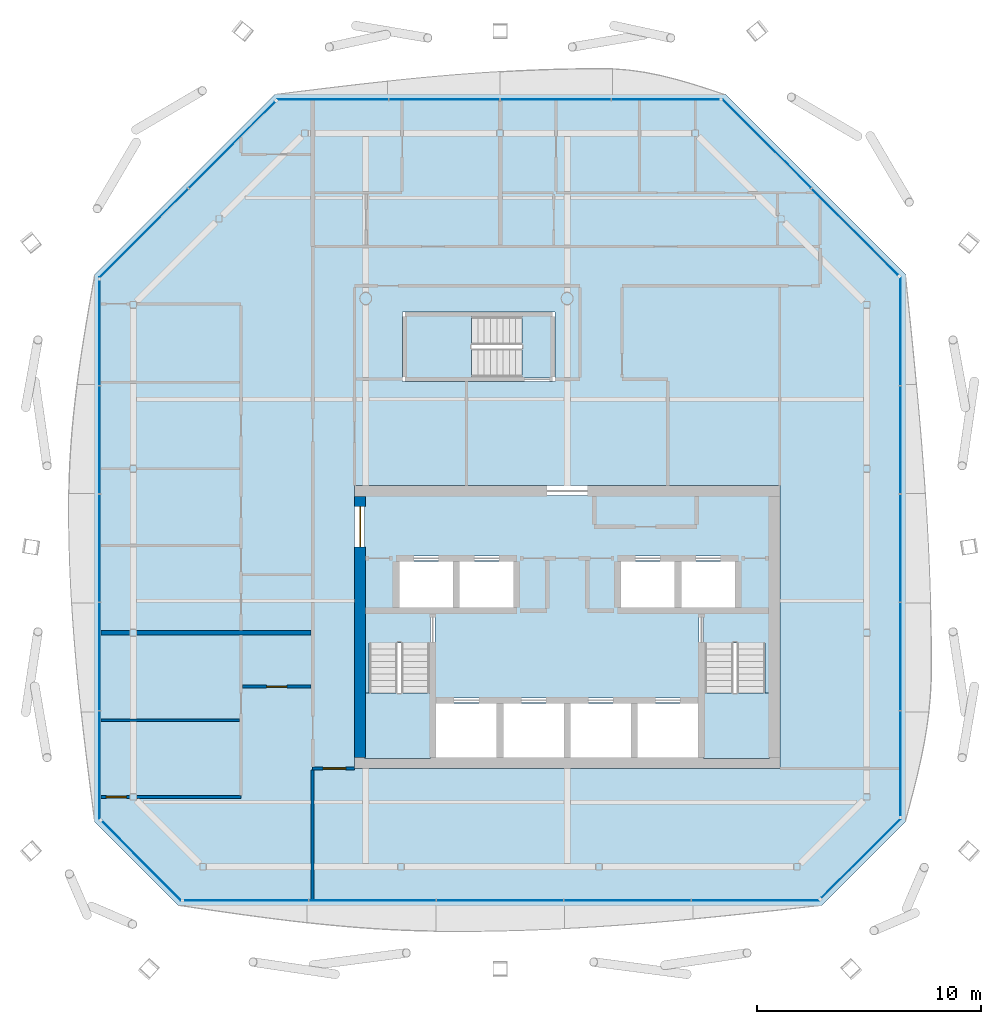
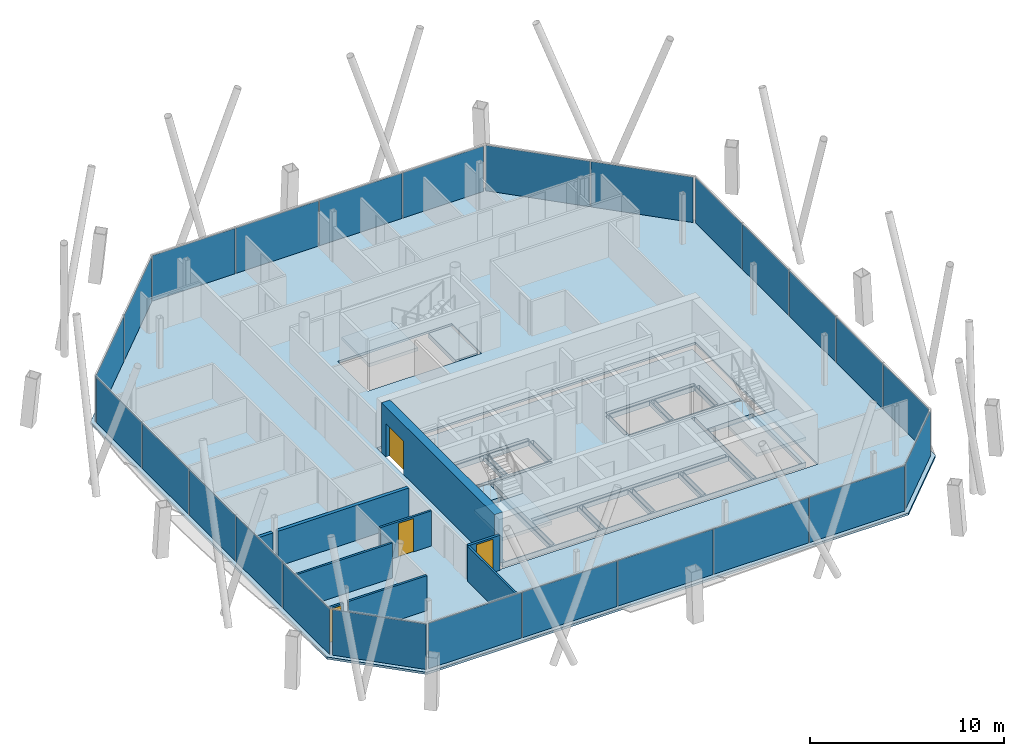
# One storey, part 11 of 17: 25 plates, 9 walls, 6 slabs, 4 doors, 4 openings, 11 elements without a shape of their own.
"""IFC4 building model written with IfcOpenShell, lengths in metres."""

from ifc_helpers import new_model, si_unit, direction, frame, frame_2d, origin, origin_2d, place, context, subcontext, project, spatial, polyline, rectangle, outline, extrude, material, layer, layer_set, type_object, element, fill, aggregate, save


model = new_model("IFC4")

# Units and contexts
model_context = context("Model", 3, precision=1e-05, world=origin(), true_north=direction((0.0, 1.0)))
body_context = subcontext(model_context, "Body", "Model", "MODEL_VIEW")
ifc_project = project(units=[si_unit("LENGTHUNIT", "METRE"), si_unit("AREAUNIT", "SQUARE_METRE"), si_unit("VOLUMEUNIT", "CUBIC_METRE"), si_unit("PLANEANGLEUNIT", "RADIAN"), si_unit("MASSUNIT", "GRAM", prefix="KILO")], contexts=[model_context])

# Site, building, storey
site_placement = place(None, origin())
site = spatial("IfcSite", under=ifc_project, at=site_placement, CompositionType="ELEMENT")
building_placement = place(site_placement, origin())
building = spatial("IfcBuilding", under=site, at=building_placement, Name="Tskaro Facet Tower", CompositionType="ELEMENT")
storey_placement = place(building_placement, frame((0.0, 0.0, 236.10009765625)))
storey = spatial("IfcBuildingStorey", under=building, at=storey_placement, Name="L61", CompositionType="ELEMENT", Elevation=236.10009765625)

# Slab
ifc_material_1 = material(Name="Concrete C30/37", Category="concrete")
ifc_layer_1 = layer(ifc_material_1, 0.139892578125, Name="Concrete C30/37")
ifc_layer_set_1 = layer_set([ifc_layer_1], Name="Concrete C30/37")
slab_type_1 = type_object("IfcSlabType", Name="Composite deck floor slab", PredefinedType="FLOOR", material=ifc_layer_set_1)
slab_1_placement = place(storey_placement, frame((0.0, 0.0, -0.14013671875)))
element("IfcSlab", 1, at=slab_1_placement, inside=storey, type_object=slab_type_1, Name="Floor slab FS3 L61", PredefinedType="FLOOR", context=body_context, shape_type="SweptSolid", body=[
    extrude(outline(polyline([(-17.35693359375, -18.138916015625), (11.35693359375, -18.138916015625), (15.138916015625, -14.35693359375), (15.138916015625, 10.052001953125), (7.052001953125, 18.138916015625), (-13.052001953125, 18.138916015625), (-21.138916015625, 10.052001953125), (-21.138916015625, -14.35693359375), (-17.35693359375, -18.138916015625)]), holes=[polyline([(-9.5, -12.0), (9.5, -12.0), (9.5, 0.64990234375), (-9.5, 0.64990234375), (-9.5, -12.0)]), polyline([(-7.35009765625, 5.300048828125), (-0.550048828125, 5.300048828125), (-0.550048828125, 8.39990234375), (-7.35009765625, 8.39990234375), (-7.35009765625, 5.300048828125)])]), origin(), (0.0, 0.0, 1.0), 0.14013671875),
])

# Curtain wall, plates
ifc_material_2 = material(Name="Bronze anodised aluminium 6063-T6", Category="aluminium")
curtain_wall_type = type_object("IfcCurtainWallType", Name="Bronze residence curtain wall (FW3)", PredefinedType="NOTDEFINED", material=ifc_material_2)
curtain_wall_1_placement = place(storey_placement, origin())
curtain_wall_1 = element("IfcCurtainWall", 2, at=curtain_wall_1_placement, inside=storey, type_object=curtain_wall_type, Name="FW3 south facet L61", PredefinedType="NOTDEFINED")
ifc_material_3 = material(Name="Bronze low-iron glass", Category="glass")
ifc_layer_2 = layer(ifc_material_3, 0.028076171875, Name="Bronze low-iron glass")
ifc_layer_set_2 = layer_set([ifc_layer_2], Name="Bronze low-iron glass")
plate_type = type_object("IfcPlateType", Name="FW3 bronze-tinted unit glazing 28", PredefinedType="CURTAIN_PANEL", material=ifc_layer_set_2)
plate_1_placement = place(storey_placement, frame((-14.344970703125, -17.888916015625, 0.0), z_axis=(0.0, 0.0, 1.0), x_axis=(1.0, 0.0, 0.0)))
plate_1 = element("IfcPlate", 3, at=plate_1_placement, type_object=plate_type, Name="FW3 south glazing 1.1", PredefinedType="CURTAIN_PANEL", context=body_context, shape_type="SweptSolid", body=[
    extrude(rectangle(XDim=5.5361328125, YDim=0.028076171875, at=origin_2d()), origin(), (0.0, 0.0, 1.0), 2.860107421875),
])
plate_2_placement = place(storey_placement, frame((-8.701171875, -17.888916015625, 0.0), z_axis=(0.0, 0.0, 1.0), x_axis=(1.0, 0.0, 0.0)))
plate_2 = element("IfcPlate", 4, at=plate_2_placement, type_object=plate_type, Name="FW3 south glazing 2.1", PredefinedType="CURTAIN_PANEL", context=body_context, shape_type="SweptSolid", body=[
    extrude(rectangle(XDim=5.651123046875, YDim=0.028076171875, at=origin_2d()), origin(), (0.0, 0.0, 1.0), 2.860107421875),
])
plate_3_placement = place(storey_placement, frame((-3.0, -17.888916015625, 0.0), z_axis=(0.0, 0.0, 1.0), x_axis=(1.0, 0.0, 0.0)))
plate_3 = element("IfcPlate", 5, at=plate_3_placement, type_object=plate_type, Name="FW3 south glazing 3.1", PredefinedType="CURTAIN_PANEL", context=body_context, shape_type="SweptSolid", body=[
    extrude(rectangle(XDim=5.651123046875, YDim=0.028076171875, at=origin_2d()), origin(), (0.0, 0.0, 1.0), 2.860107421875),
])
plate_4_placement = place(storey_placement, frame((2.701171875, -17.888916015625, 0.0), z_axis=(0.0, 0.0, 1.0), x_axis=(1.0, 0.0, 0.0)))
plate_4 = element("IfcPlate", 6, at=plate_4_placement, type_object=plate_type, Name="FW3 south glazing 4.1", PredefinedType="CURTAIN_PANEL", context=body_context, shape_type="SweptSolid", body=[
    extrude(rectangle(XDim=5.651123046875, YDim=0.028076171875, at=origin_2d()), origin(), (0.0, 0.0, 1.0), 2.860107421875),
])
plate_5_placement = place(storey_placement, frame((8.414794921875, -17.888916015625, 0.0), z_axis=(0.0, 0.0, 1.0), x_axis=(1.0, 0.0, 0.0)))
plate_5 = element("IfcPlate", 7, at=plate_5_placement, type_object=plate_type, Name="FW3 south glazing 5.1", PredefinedType="CURTAIN_PANEL", context=body_context, shape_type="SweptSolid", body=[
    extrude(rectangle(XDim=5.67626953125, YDim=0.028076171875, at=origin_2d()), origin(), (0.0, 0.0, 1.0), 2.860107421875),
])
aggregate(curtain_wall_1, [plate_1, plate_2, plate_3, plate_4, plate_5])

# Curtain wall, plate
curtain_wall_2_placement = place(storey_placement, origin())
curtain_wall_2 = element("IfcCurtainWall", 8, at=curtain_wall_2_placement, inside=storey, type_object=curtain_wall_type, Name="FW3 south-east facet L61", PredefinedType="NOTDEFINED")
plate_6_placement = place(storey_placement, frame((13.12060546875, -16.021484375, 0.0), z_axis=(0.0, 0.0, 1.0), x_axis=(0.707106781187, 0.707106781187, 0.0)))
plate_6 = element("IfcPlate", 9, at=plate_6_placement, type_object=plate_type, Name="FW3 south-east glazing 1.1", PredefinedType="CURTAIN_PANEL", context=body_context, shape_type="SweptSolid", body=[
    extrude(rectangle(XDim=5.002197265625, YDim=0.028076171875, at=origin_2d()), origin(), (0.0, 0.0, 1.0), 2.860107421875),
])
aggregate(curtain_wall_2, [plate_6])

# Curtain wall, plates
curtain_wall_3_placement = place(storey_placement, origin())
curtain_wall_3 = element("IfcCurtainWall", 10, at=curtain_wall_3_placement, inside=storey, type_object=curtain_wall_type, Name="FW3 east facet L61", PredefinedType="NOTDEFINED")
plate_7_placement = place(storey_placement, frame((14.888916015625, -11.775390625, 0.0), z_axis=(0.0, 0.0, 1.0), x_axis=(0.0, 1.0, 0.0)))
plate_7 = element("IfcPlate", 11, at=plate_7_placement, type_object=plate_type, Name="FW3 east glazing 1.1", PredefinedType="CURTAIN_PANEL", context=body_context, shape_type="SweptSolid", body=[
    extrude(rectangle(XDim=4.67529296875, YDim=0.028076171875, at=origin_2d()), origin(), (0.0, 0.0, 1.0), 2.860107421875),
])
plate_8_placement = place(storey_placement, frame((14.888916015625, -6.99267578125, 0.0), z_axis=(0.0, 0.0, 1.0), x_axis=(0.0, 1.0, 0.0)))
plate_8 = element("IfcPlate", 12, at=plate_8_placement, type_object=plate_type, Name="FW3 east glazing 2.1", PredefinedType="CURTAIN_PANEL", context=body_context, shape_type="SweptSolid", body=[
    extrude(rectangle(XDim=4.790283203125, YDim=0.028076171875, at=origin_2d()), origin(), (0.0, 0.0, 1.0), 2.860107421875),
])
plate_9_placement = place(storey_placement, frame((14.888916015625, -2.152587890625, 0.0), z_axis=(0.0, 0.0, 1.0), x_axis=(0.0, 1.0, 0.0)))
plate_9 = element("IfcPlate", 13, at=plate_9_placement, type_object=plate_type, Name="FW3 east glazing 3.1", PredefinedType="CURTAIN_PANEL", context=body_context, shape_type="SweptSolid", body=[
    extrude(rectangle(XDim=4.790283203125, YDim=0.028076171875, at=origin_2d()), origin(), (0.0, 0.0, 1.0), 2.860107421875),
])
plate_10_placement = place(storey_placement, frame((14.888916015625, 2.687744140625, 0.0), z_axis=(0.0, 0.0, 1.0), x_axis=(0.0, 1.0, 0.0)))
plate_10 = element("IfcPlate", 14, at=plate_10_placement, type_object=plate_type, Name="FW3 east glazing 4.1", PredefinedType="CURTAIN_PANEL", context=body_context, shape_type="SweptSolid", body=[
    extrude(rectangle(XDim=4.790283203125, YDim=0.028076171875, at=origin_2d()), origin(), (0.0, 0.0, 1.0), 2.860107421875),
])
plate_11_placement = place(storey_placement, frame((14.888916015625, 7.540283203125, 0.0), z_axis=(0.0, 0.0, 1.0), x_axis=(0.0, 1.0, 0.0)))
plate_11 = element("IfcPlate", 15, at=plate_11_placement, type_object=plate_type, Name="FW3 east glazing 5.1", PredefinedType="CURTAIN_PANEL", context=body_context, shape_type="SweptSolid", body=[
    extrude(rectangle(XDim=4.815185546875, YDim=0.028076171875, at=origin_2d()), origin(), (0.0, 0.0, 1.0), 2.860107421875),
])
aggregate(curtain_wall_3, [plate_7, plate_8, plate_9, plate_10, plate_11])

curtain_wall_4_placement = place(storey_placement, origin())
curtain_wall_4 = element("IfcCurtainWall", 16, at=curtain_wall_4_placement, inside=storey, type_object=curtain_wall_type, Name="FW3 north-east facet L61", PredefinedType="NOTDEFINED")
plate_12_placement = place(storey_placement, frame((12.863037109375, 11.973876953125, 0.0), z_axis=(0.0, 0.0, 1.0), x_axis=(-0.707106781187, 0.707106781187, 0.0)))
plate_12 = element("IfcPlate", 17, at=plate_12_placement, type_object=plate_type, Name="FW3 north-east glazing 1.1", PredefinedType="CURTAIN_PANEL", context=body_context, shape_type="SweptSolid", body=[
    extrude(rectangle(XDim=5.4501953125, YDim=0.028076171875, at=origin_2d()), origin(), (0.0, 0.0, 1.0), 2.860107421875),
])
plate_13_placement = place(storey_placement, frame((8.92431640625, 15.91259765625, 0.0), z_axis=(0.0, 0.0, 1.0), x_axis=(-0.707106781187, 0.707106781187, 0.0)))
plate_13 = element("IfcPlate", 18, at=plate_13_placement, type_object=plate_type, Name="FW3 north-east glazing 2.1", PredefinedType="CURTAIN_PANEL", context=body_context, shape_type="SweptSolid", body=[
    extrude(rectangle(XDim=5.590087890625, YDim=0.028076171875, at=origin_2d()), origin(), (0.0, 0.0, 1.0), 2.860107421875),
])
aggregate(curtain_wall_4, [plate_12, plate_13])

curtain_wall_5_placement = place(storey_placement, origin())
curtain_wall_5 = element("IfcCurtainWall", 19, at=curtain_wall_5_placement, inside=storey, type_object=curtain_wall_type, Name="FW3 north facet L61", PredefinedType="NOTDEFINED")
plate_14_placement = place(storey_placement, frame((4.403564453125, 17.888916015625, 0.0), z_axis=(0.0, 0.0, 1.0), x_axis=(-1.0, 0.0, 0.0)))
plate_14 = element("IfcPlate", 20, at=plate_14_placement, type_object=plate_type, Name="FW3 north glazing 1.1", PredefinedType="CURTAIN_PANEL", context=body_context, shape_type="SweptSolid", body=[
    extrude(rectangle(XDim=4.80908203125, YDim=0.028076171875, at=origin_2d()), origin(), (0.0, 0.0, 1.0), 2.860107421875),
])
plate_15_placement = place(storey_placement, frame((-0.512939453125, 17.888916015625, 0.0), z_axis=(0.0, 0.0, 1.0), x_axis=(-1.0, 0.0, 0.0)))
plate_15 = element("IfcPlate", 21, at=plate_15_placement, type_object=plate_type, Name="FW3 north glazing 2.1", PredefinedType="CURTAIN_PANEL", context=body_context, shape_type="SweptSolid", body=[
    extrude(rectangle(XDim=4.924072265625, YDim=0.028076171875, at=origin_2d()), origin(), (0.0, 0.0, 1.0), 2.860107421875),
])
plate_16_placement = place(storey_placement, frame((-5.487060546875, 17.888916015625, 0.0), z_axis=(0.0, 0.0, 1.0), x_axis=(-1.0, 0.0, 0.0)))
plate_16 = element("IfcPlate", 22, at=plate_16_placement, type_object=plate_type, Name="FW3 north glazing 3.1", PredefinedType="CURTAIN_PANEL", context=body_context, shape_type="SweptSolid", body=[
    extrude(rectangle(XDim=4.924072265625, YDim=0.028076171875, at=origin_2d()), origin(), (0.0, 0.0, 1.0), 2.860107421875),
])
plate_17_placement = place(storey_placement, frame((-10.473388671875, 17.888916015625, 0.0), z_axis=(0.0, 0.0, 1.0), x_axis=(-1.0, 0.0, 0.0)))
plate_17 = element("IfcPlate", 23, at=plate_17_placement, type_object=plate_type, Name="FW3 north glazing 4.1", PredefinedType="CURTAIN_PANEL", context=body_context, shape_type="SweptSolid", body=[
    extrude(rectangle(XDim=4.948974609375, YDim=0.028076171875, at=origin_2d()), origin(), (0.0, 0.0, 1.0), 2.860107421875),
])
aggregate(curtain_wall_5, [plate_14, plate_15, plate_16, plate_17])

curtain_wall_6_placement = place(storey_placement, origin())
curtain_wall_6 = element("IfcCurtainWall", 24, at=curtain_wall_6_placement, inside=storey, type_object=curtain_wall_type, Name="FW3 north-west facet L61", PredefinedType="NOTDEFINED")
plate_18_placement = place(storey_placement, frame((-14.973876953125, 15.863037109375, 0.0), z_axis=(0.0, 0.0, 1.0), x_axis=(-0.707106781187, -0.707106781187, 0.0)))
plate_18 = element("IfcPlate", 25, at=plate_18_placement, type_object=plate_type, Name="FW3 north-west glazing 1.1", PredefinedType="CURTAIN_PANEL", context=body_context, shape_type="SweptSolid", body=[
    extrude(rectangle(XDim=5.4501953125, YDim=0.028076171875, at=origin_2d()), origin(), (0.0, 0.0, 1.0), 2.860107421875),
])
plate_19_placement = place(storey_placement, frame((-18.91259765625, 11.92431640625, 0.0), z_axis=(0.0, 0.0, 1.0), x_axis=(-0.707106781187, -0.707106781187, 0.0)))
plate_19 = element("IfcPlate", 26, at=plate_19_placement, type_object=plate_type, Name="FW3 north-west glazing 2.1", PredefinedType="CURTAIN_PANEL", context=body_context, shape_type="SweptSolid", body=[
    extrude(rectangle(XDim=5.590087890625, YDim=0.028076171875, at=origin_2d()), origin(), (0.0, 0.0, 1.0), 2.860107421875),
])
aggregate(curtain_wall_6, [plate_18, plate_19])

curtain_wall_7_placement = place(storey_placement, origin())
curtain_wall_7 = element("IfcCurtainWall", 27, at=curtain_wall_7_placement, inside=storey, type_object=curtain_wall_type, Name="FW3 west facet L61", PredefinedType="NOTDEFINED")
plate_20_placement = place(storey_placement, frame((-20.888916015625, 7.470458984375, 0.0), z_axis=(0.0, 0.0, 1.0), x_axis=(0.0, -1.0, 0.0)))
plate_20 = element("IfcPlate", 28, at=plate_20_placement, type_object=plate_type, Name="FW3 west glazing 1.1", PredefinedType="CURTAIN_PANEL", context=body_context, shape_type="SweptSolid", body=[
    extrude(rectangle(XDim=4.67529296875, YDim=0.028076171875, at=origin_2d()), origin(), (0.0, 0.0, 1.0), 2.860107421875),
])
plate_21_placement = place(storey_placement, frame((-20.888916015625, 2.687744140625, 0.0), z_axis=(0.0, 0.0, 1.0), x_axis=(0.0, -1.0, 0.0)))
plate_21 = element("IfcPlate", 29, at=plate_21_placement, type_object=plate_type, Name="FW3 west glazing 2.1", PredefinedType="CURTAIN_PANEL", context=body_context, shape_type="SweptSolid", body=[
    extrude(rectangle(XDim=4.790283203125, YDim=0.028076171875, at=origin_2d()), origin(), (0.0, 0.0, 1.0), 2.860107421875),
])
plate_22_placement = place(storey_placement, frame((-20.888916015625, -2.152587890625, 0.0), z_axis=(0.0, 0.0, 1.0), x_axis=(0.0, -1.0, 0.0)))
plate_22 = element("IfcPlate", 30, at=plate_22_placement, type_object=plate_type, Name="FW3 west glazing 3.1", PredefinedType="CURTAIN_PANEL", context=body_context, shape_type="SweptSolid", body=[
    extrude(rectangle(XDim=4.790283203125, YDim=0.028076171875, at=origin_2d()), origin(), (0.0, 0.0, 1.0), 2.860107421875),
])
plate_23_placement = place(storey_placement, frame((-20.888916015625, -6.99267578125, 0.0), z_axis=(0.0, 0.0, 1.0), x_axis=(0.0, -1.0, 0.0)))
plate_23 = element("IfcPlate", 31, at=plate_23_placement, type_object=plate_type, Name="FW3 west glazing 4.1", PredefinedType="CURTAIN_PANEL", context=body_context, shape_type="SweptSolid", body=[
    extrude(rectangle(XDim=4.790283203125, YDim=0.028076171875, at=origin_2d()), origin(), (0.0, 0.0, 1.0), 2.860107421875),
])
plate_24_placement = place(storey_placement, frame((-20.888916015625, -11.845458984375, 0.0), z_axis=(0.0, 0.0, 1.0), x_axis=(0.0, -1.0, 0.0)))
plate_24 = element("IfcPlate", 32, at=plate_24_placement, type_object=plate_type, Name="FW3 west glazing 5.1", PredefinedType="CURTAIN_PANEL", context=body_context, shape_type="SweptSolid", body=[
    extrude(rectangle(XDim=4.815185546875, YDim=0.028076171875, at=origin_2d()), origin(), (0.0, 0.0, 1.0), 2.860107421875),
])
aggregate(curtain_wall_7, [plate_20, plate_21, plate_22, plate_23, plate_24])

# Curtain wall, plate
curtain_wall_8_placement = place(storey_placement, origin())
curtain_wall_8 = element("IfcCurtainWall", 33, at=curtain_wall_8_placement, inside=storey, type_object=curtain_wall_type, Name="FW3 south-west facet L61", PredefinedType="NOTDEFINED")
plate_25_placement = place(storey_placement, frame((-19.021484375, -16.12060546875, 0.0), z_axis=(0.0, 0.0, 1.0), x_axis=(0.707106781187, -0.707106781187, 0.0)))
plate_25 = element("IfcPlate", 34, at=plate_25_placement, type_object=plate_type, Name="FW3 south-west glazing 1.1", PredefinedType="CURTAIN_PANEL", context=body_context, shape_type="SweptSolid", body=[
    extrude(rectangle(XDim=5.002197265625, YDim=0.028076171875, at=origin_2d()), origin(), (0.0, 0.0, 1.0), 2.860107421875),
])
aggregate(curtain_wall_8, [plate_25])

# Stair, slab
ifc_material_4 = material(Name="Concrete C40/50", Category="concrete")
stair_type = type_object("IfcStairType", Name="ST-TWR", PredefinedType="HALF_TURN_STAIR", material=ifc_material_4)
stair_1_placement = place(storey_placement, origin())
stair_1 = element("IfcStair", 35, at=stair_1_placement, inside=storey, type_object=stair_type, Name="L61 Exit stair 1", PredefinedType="HALF_TURN_STAIR")
ifc_layer_3 = layer(ifc_material_4, 0.199951171875, Name="Concrete C40/50")
ifc_layer_set_3 = layer_set([ifc_layer_3], Name="Concrete C40/50")
slab_type_2 = type_object("IfcSlabType", Name="SL-LANDING", PredefinedType="LANDING", material=ifc_layer_set_3)
slab_2_placement = place(storey_placement, frame((0.0, 0.0, 1.375)))
slab_2 = element("IfcSlab", 36, at=slab_2_placement, type_object=slab_type_2, Name="ST-1 landing 1", PredefinedType="LANDING", context=body_context, shape_type="SweptSolid", body=[
    extrude(outline(polyline([(-9.050048828125, -11.550048828125), (-6.10009765625, -11.550048828125), (-6.10009765625, -8.614990234375), (-9.050048828125, -8.614990234375), (-9.050048828125, -11.550048828125)])), origin(), (0.0, 0.0, 1.0), 0.199951171875),
])
aggregate(stair_1, [slab_2])

stair_2_placement = place(storey_placement, origin())
stair_2 = element("IfcStair", 37, at=stair_2_placement, inside=storey, type_object=stair_type, Name="L61 Exit stair 2", PredefinedType="HALF_TURN_STAIR")
slab_3_placement = place(storey_placement, frame((0.0, 0.0, 1.375)))
slab_3 = element("IfcSlab", 38, at=slab_3_placement, type_object=slab_type_2, Name="ST-2 landing 1", PredefinedType="LANDING", context=body_context, shape_type="SweptSolid", body=[
    extrude(outline(polyline([(6.10009765625, -11.550048828125), (9.050048828125, -11.550048828125), (9.050048828125, -8.614990234375), (6.10009765625, -8.614990234375), (6.10009765625, -11.550048828125)])), origin(), (0.0, 0.0, 1.0), 0.199951171875),
])
aggregate(stair_2, [slab_3])

stair_3_placement = place(storey_placement, origin())
stair_3 = element("IfcStair", 39, at=stair_3_placement, inside=storey, type_object=stair_type, Name="L61 Exit stair 3", PredefinedType="HALF_TURN_STAIR")
slab_4_placement = place(storey_placement, frame((0.0, 0.0, 1.375)))
slab_4 = element("IfcSlab", 40, at=slab_4_placement, type_object=slab_type_2, Name="ST-3 landing 1", PredefinedType="LANDING", context=body_context, shape_type="SweptSolid", body=[
    extrude(outline(polyline([(-7.199951171875, 5.449951171875), (-4.264892578125, 5.449951171875), (-4.264892578125, 8.25), (-7.199951171875, 8.25), (-7.199951171875, 5.449951171875)])), origin(), (0.0, 0.0, 1.0), 0.199951171875),
])
aggregate(stair_3, [slab_4])

# Slabs
ifc_material_5 = material(Name="Concrete C60/75", Category="concrete")
ifc_layer_4 = layer(ifc_material_5, 0.300048828125, Name="Concrete C60/75")
ifc_layer_set_4 = layer_set([ifc_layer_4], Name="Concrete C60/75")
slab_type_3 = type_object("IfcSlabType", Name="SLAB-CORE", PredefinedType="FLOOR", material=ifc_layer_set_4)
slab_5_placement = place(storey_placement, frame((0.0, 0.0, -0.300048828125)))
element("IfcSlab", 41, at=slab_5_placement, inside=storey, type_object=slab_type_3, Name="Core floor slab 1", PredefinedType="FLOOR", context=body_context, shape_type="SweptSolid", body=[
    extrude(outline(polyline([(-9.050048828125, 0.199951171875), (9.050048828125, 0.199951171875), (9.050048828125, 0.10009765625), (9.050048828125, -11.449951171875), (9.050048828125, -11.550048828125), (-9.050048828125, -11.550048828125), (-9.050048828125, -11.449951171875), (-9.050048828125, 0.10009765625), (-9.050048828125, 0.199951171875)]), holes=[polyline([(-5.85009765625, -9.10009765625), (-5.85009765625, -11.5), (-3.14990234375, -11.5), (-3.14990234375, -9.10009765625), (-5.85009765625, -9.10009765625)]), polyline([(-3.10009765625, -11.449951171875), (-2.89990234375, -11.449951171875), (-2.89990234375, -9.14990234375), (-3.10009765625, -9.14990234375), (-3.10009765625, -11.449951171875)]), polyline([(-2.85009765625, -9.10009765625), (-2.85009765625, -11.5), (-0.14990234375, -11.5), (-0.14990234375, -9.10009765625), (-2.85009765625, -9.10009765625)]), polyline([(-6.10009765625, -11.449951171875), (-5.89990234375, -11.449951171875), (-5.89990234375, -5.14990234375), (-6.10009765625, -5.14990234375), (-6.10009765625, -11.449951171875)]), polyline([(-8.949951171875, -5.050048828125), (-2.300048828125, -5.050048828125), (-2.300048828125, -4.85009765625), (-8.949951171875, -4.85009765625), (-8.949951171875, -5.050048828125)]), polyline([(-7.75, -4.75), (-7.550048828125, -4.75), (-7.550048828125, -2.800048828125), (-7.75, -2.800048828125), (-7.75, -4.75)]), polyline([(-7.5, -2.75), (-7.5, -4.800048828125), (-5.10009765625, -4.800048828125), (-5.10009765625, -2.75), (-7.5, -2.75)]), polyline([(-5.050048828125, -4.75), (-4.85009765625, -4.75), (-4.85009765625, -2.800048828125), (-5.050048828125, -2.800048828125), (-5.050048828125, -4.75)]), polyline([(-2.39990234375, -2.75), (-4.800048828125, -2.75), (-4.800048828125, -4.800048828125), (-2.39990234375, -4.800048828125), (-2.39990234375, -2.75)]), polyline([(-2.35009765625, -4.75), (-2.14990234375, -4.75), (-2.14990234375, -2.800048828125), (-2.35009765625, -2.800048828125), (-2.35009765625, -4.75)]), polyline([(-7.60009765625, -2.699951171875), (-2.300048828125, -2.699951171875), (-2.300048828125, -2.5), (-7.60009765625, -2.5), (-7.60009765625, -2.699951171875)]), polyline([(-0.10009765625, -11.449951171875), (0.10009765625, -11.449951171875), (0.10009765625, -9.14990234375), (-0.10009765625, -9.14990234375), (-0.10009765625, -11.449951171875)]), polyline([(0.14990234375, -9.10009765625), (0.14990234375, -11.5), (2.85009765625, -11.5), (2.85009765625, -9.10009765625), (0.14990234375, -9.10009765625)]), polyline([(2.89990234375, -11.449951171875), (3.10009765625, -11.449951171875), (3.10009765625, -9.14990234375), (2.89990234375, -9.14990234375), (2.89990234375, -11.449951171875)]), polyline([(3.14990234375, -9.10009765625), (3.14990234375, -11.5), (5.85009765625, -11.5), (5.85009765625, -9.10009765625), (3.14990234375, -9.10009765625)]), polyline([(-5.800048828125, -9.050048828125), (5.800048828125, -9.050048828125), (5.800048828125, -8.85009765625), (-5.800048828125, -8.85009765625), (-5.800048828125, -9.050048828125)]), polyline([(5.89990234375, -11.449951171875), (6.10009765625, -11.449951171875), (6.10009765625, -5.14990234375), (5.89990234375, -5.14990234375), (5.89990234375, -11.449951171875)]), polyline([(2.300048828125, -5.050048828125), (8.949951171875, -5.050048828125), (8.949951171875, -4.85009765625), (2.300048828125, -4.85009765625), (2.300048828125, -5.050048828125)]), polyline([(2.14990234375, -4.75), (2.35009765625, -4.75), (2.35009765625, -2.800048828125), (2.14990234375, -2.800048828125), (2.14990234375, -4.75)]), polyline([(2.39990234375, -4.800048828125), (4.800048828125, -4.800048828125), (4.800048828125, -2.75), (2.39990234375, -2.75), (2.39990234375, -4.800048828125)]), polyline([(4.85009765625, -4.75), (5.050048828125, -4.75), (5.050048828125, -2.800048828125), (4.85009765625, -2.800048828125), (4.85009765625, -4.75)]), polyline([(5.10009765625, -4.800048828125), (7.5, -4.800048828125), (7.5, -2.75), (5.10009765625, -2.75), (5.10009765625, -4.800048828125)]), polyline([(7.550048828125, -4.75), (7.75, -4.75), (7.75, -2.800048828125), (7.550048828125, -2.800048828125), (7.550048828125, -4.75)]), polyline([(2.300048828125, -2.699951171875), (7.60009765625, -2.699951171875), (7.60009765625, -2.5), (2.300048828125, -2.5), (2.300048828125, -2.699951171875)]), polyline([(-8.85009765625, -11.5), (-6.14990234375, -11.5), (-6.14990234375, -6.39501953125), (-8.85009765625, -6.39501953125), (-8.85009765625, -11.5)]), polyline([(6.14990234375, -6.39501953125), (6.14990234375, -11.5), (8.85009765625, -11.5), (8.85009765625, -6.39501953125), (6.14990234375, -6.39501953125)])]), origin(), (0.0, 0.0, 1.0), 0.300048828125),
])
slab_6_placement = place(storey_placement, frame((0.0, 0.0, -0.300048828125)))
element("IfcSlab", 42, at=slab_6_placement, inside=storey, type_object=slab_type_3, Name="Stair 3 floor landing 1", PredefinedType="FLOOR", context=body_context, shape_type="SweptSolid", body=[
    extrude(outline(polyline([(-2.02490234375, 5.449951171875), (-0.699951171875, 5.449951171875), (-0.699951171875, 8.25), (-2.02490234375, 8.25), (-2.02490234375, 5.449951171875)])), origin(), (0.0, 0.0, 1.0), 0.300048828125),
])

# Wall, opening, door
ifc_layer_5 = layer(ifc_material_4, 0.5, Name="Concrete C40/50")
ifc_layer_set_5 = layer_set([ifc_layer_5], Name="Concrete C40/50")
wall_type_1 = type_object("IfcWallType", Name="Core wall 500", PredefinedType="SHEAR", material=ifc_layer_set_5)
wall_1_placement = place(storey_placement, frame((-9.25, -11.5, 0.0), z_axis=(0.0, 0.0, 1.0), x_axis=(0.0, 1.0, 0.0)))
wall_1 = element("IfcWall", 43, at=wall_1_placement, inside=storey, type_object=wall_type_1, Name="Core wall CW-Z3W", PredefinedType="SHEAR", context=body_context, shape_type="SweptSolid", body=[
    extrude(rectangle(XDim=11.64990234375, YDim=0.5, at=frame_2d((5.824951171875, 0.0))), origin(), (0.0, 0.0, 1.0), 3.14990234375),
])
opening_1_placement = place(wall_1_placement, frame((9.39990234375, 0.0, 0.0)))
opening_1 = element("IfcOpeningElement", 44, at=opening_1_placement, cuts=wall_1, Name="Opening T18-D12", PredefinedType="OPENING", context=body_context, shape_type="SweptSolid", body=[
    extrude(rectangle(XDim=1.800048828125, YDim=2.10009765625, at=frame_2d((0.89990234375, 1.050048828125))), frame((0.0, 0.260009765625, 0.0), z_axis=(0.0, -1.0, 0.0), x_axis=(1.0, 0.0, 0.0)), (0.0, 0.0, 1.0), 0.52001953125),
])
ifc_material_6 = material(Name="Steel", Category="steel")
door_type_1 = type_object("IfcDoorType", Name="D-CORE-PAIR", OperationType="NOTDEFINED", PredefinedType="DOOR", material=ifc_material_6)
door_1_placement = place(opening_1_placement, origin())
door_1 = element("IfcDoor", 45, at=door_1_placement, inside=storey, type_object=door_type_1, Name="Door T18-D12", OperationType="DOUBLE_DOOR_SINGLE_SWING", OverallHeight=2.10009765625, OverallWidth=1.800048828125, PredefinedType="DOOR", context=body_context, shape_type="SweptSolid", body=[
    extrude(rectangle(XDim=1.800048828125, YDim=2.10009765625, at=frame_2d((0.89990234375, 1.050048828125))), frame((0.0, 0.02490234375, 0.0), z_axis=(0.0, -1.0, 0.0), x_axis=(1.0, 0.0, 0.0)), (0.0, 0.0, 1.0), 0.050048828125),
])
fill(opening_1, door_1)

ifc_material_7 = material(Name="Gypsum board on steel studs", Category="steel")
ifc_layer_6 = layer(ifc_material_7, 0.125, Name="Gypsum board on steel studs")
ifc_layer_set_6 = layer_set([ifc_layer_6], Name="Gypsum board on steel studs")
wall_type_2 = type_object("IfcWallType", Name="PART", PredefinedType="PARTITIONING", material=ifc_layer_set_6)
wall_2_placement = place(storey_placement, frame((-20.839111328125, -13.27001953125, 0.0), z_axis=(0.0, 0.0, 1.0), x_axis=(1.0, 0.0, 0.0)))
wall_2 = element("IfcWall", 46, at=wall_2_placement, inside=storey, type_object=wall_type_2, Name="Partition W001", PredefinedType="PARTITIONING", context=body_context, shape_type="SweptSolid", body=[
    extrude(rectangle(XDim=1.298095703125, YDim=0.125, at=frame_2d((0.64892578125, 0.0))), origin(), (0.0, 0.0, 1.0), 2.2099609375),
])
opening_2_placement = place(wall_2_placement, frame((0.248046875, 0.0, 0.0)))
opening_2 = element("IfcOpeningElement", 47, at=opening_2_placement, cuts=wall_2, Name="Opening T18-D01", PredefinedType="OPENING", context=body_context, shape_type="SweptSolid", body=[
    extrude(rectangle(XDim=0.89990234375, YDim=2.10009765625, at=frame_2d((0.449951171875, 1.050048828125))), frame((0.0, 0.072509765625, 0.0), z_axis=(0.0, -1.0, 0.0), x_axis=(1.0, 0.0, 0.0)), (0.0, 0.0, 1.0), 0.14501953125),
])
ifc_material_8 = material(Name="Timber", Category="wood")
door_type_2 = type_object("IfcDoorType", Name="D-ROOM", OperationType="NOTDEFINED", PredefinedType="DOOR", material=ifc_material_8)
door_2_placement = place(opening_2_placement, origin())
door_2 = element("IfcDoor", 48, at=door_2_placement, inside=storey, type_object=door_type_2, Name="Door T18-D01", OperationType="SINGLE_SWING_LEFT", OverallHeight=2.10009765625, OverallWidth=0.89990234375, PredefinedType="DOOR", context=body_context, shape_type="SweptSolid", body=[
    extrude(rectangle(XDim=0.89990234375, YDim=2.10009765625, at=frame_2d((0.449951171875, 1.050048828125))), frame((0.0, 0.02490234375, 0.0), z_axis=(0.0, -1.0, 0.0), x_axis=(1.0, 0.0, 0.0)), (0.0, 0.0, 1.0), 0.050048828125),
])
fill(opening_2, door_2)

# Walls
wall_3_placement = place(storey_placement, frame((-19.240966796875, -13.27001953125, 0.0), z_axis=(0.0, 0.0, 1.0), x_axis=(1.0, 0.0, 0.0)))
element("IfcWall", 49, at=wall_3_placement, inside=storey, type_object=wall_type_2, Name="Partition W002", PredefinedType="PARTITIONING", context=body_context, shape_type="SweptSolid", body=[
    extrude(rectangle(XDim=4.666015625, YDim=0.125, at=frame_2d((2.3330078125, 0.0))), origin(), (0.0, 0.0, 1.0), 2.2099609375),
])
wall_4_placement = place(storey_placement, frame((-20.839111328125, -9.840087890625, 0.0), z_axis=(0.0, 0.0, 1.0), x_axis=(1.0, 0.0, 0.0)))
element("IfcWall", 50, at=wall_4_placement, inside=storey, type_object=wall_type_2, Name="Partition W005", PredefinedType="PARTITIONING", context=body_context, shape_type="SweptSolid", body=[
    extrude(rectangle(XDim=6.20166015625, YDim=0.125, at=frame_2d((3.100830078125, 0.0))), origin(), (0.0, 0.0, 1.0), 2.2099609375),
])

# Wall, opening, door
wall_5_placement = place(storey_placement, frame((-14.512451171875, -8.340087890625, 0.0), z_axis=(0.0, 0.0, 1.0), x_axis=(1.0, 0.0, 0.0)))
wall_5 = element("IfcWall", 51, at=wall_5_placement, inside=storey, type_object=wall_type_2, Name="Partition W007", PredefinedType="PARTITIONING", context=body_context, shape_type="SweptSolid", body=[
    extrude(rectangle(XDim=3.0625, YDim=0.125, at=frame_2d((1.53125, 0.0))), origin(), (0.0, 0.0, 1.0), 2.2099609375),
])
opening_3_placement = place(wall_5_placement, frame((1.08740234375, 0.0, 0.0)))
opening_3 = element("IfcOpeningElement", 52, at=opening_3_placement, cuts=wall_5, Name="Opening T18-D05", PredefinedType="OPENING", context=body_context, shape_type="SweptSolid", body=[
    extrude(rectangle(XDim=0.89990234375, YDim=2.10009765625, at=frame_2d((0.449951171875, 1.050048828125))), frame((0.0, 0.072509765625, 0.0), z_axis=(0.0, -1.0, 0.0), x_axis=(1.0, 0.0, 0.0)), (0.0, 0.0, 1.0), 0.14501953125),
])
door_3_placement = place(opening_3_placement, origin())
door_3 = element("IfcDoor", 53, at=door_3_placement, inside=storey, type_object=door_type_2, Name="Door T18-D05", OperationType="SINGLE_SWING_LEFT", OverallHeight=2.10009765625, OverallWidth=0.89990234375, PredefinedType="DOOR", context=body_context, shape_type="SweptSolid", body=[
    extrude(rectangle(XDim=0.89990234375, YDim=2.10009765625, at=frame_2d((0.449951171875, 1.050048828125))), frame((0.0, 0.02490234375, 0.0), z_axis=(0.0, -1.0, 0.0), x_axis=(1.0, 0.0, 0.0)), (0.0, 0.0, 1.0), 0.050048828125),
])
fill(opening_3, door_3)

# Wall
wall_6_placement = place(storey_placement, frame((-11.375, -17.839111328125, 0.0), z_axis=(0.0, 0.0, 1.0), x_axis=(0.0, 1.0, 0.0)))
element("IfcWall", 54, at=wall_6_placement, inside=storey, type_object=wall_type_2, Name="Partition W041", PredefinedType="PARTITIONING", context=body_context, shape_type="SweptSolid", body=[
    extrude(rectangle(XDim=5.76416015625, YDim=0.125, at=frame_2d((2.882080078125, 0.0))), origin(), (0.0, 0.0, 1.0), 2.2099609375),
])

# Wall, opening, door
ifc_layer_7 = layer(ifc_material_7, 0.14990234375, Name="Gypsum board on steel studs")
ifc_layer_set_7 = layer_set([ifc_layer_7], Name="Gypsum board on steel studs")
wall_type_3 = type_object("IfcWallType", Name="PART-CORR", PredefinedType="PARTITIONING", material=ifc_layer_set_7)
wall_7_placement = place(storey_placement, frame((-9.5, -12.0, 0.0), z_axis=(0.0, 0.0, 1.0), x_axis=(-1.0, 0.0, 0.0)))
wall_7 = element("IfcWall", 55, at=wall_7_placement, inside=storey, type_object=wall_type_3, Name="Corridor wall W003", PredefinedType="PARTITIONING", context=body_context, shape_type="SweptSolid", body=[
    extrude(rectangle(XDim=1.875, YDim=0.14990234375, at=frame_2d((0.9375, 0.0))), origin(), (0.0, 0.0, 1.0), 2.2099609375),
])
opening_4_placement = place(wall_7_placement, frame((0.39990234375, 0.0, 0.0)))
opening_4 = element("IfcOpeningElement", 56, at=opening_4_placement, cuts=wall_7, Name="Opening T18-D02", PredefinedType="OPENING", context=body_context, shape_type="SweptSolid", body=[
    extrude(rectangle(XDim=1.0, YDim=2.10009765625, at=frame_2d((0.5, 1.050048828125))), frame((0.0, 0.0849609375, 0.0), z_axis=(0.0, -1.0, 0.0), x_axis=(1.0, 0.0, 0.0)), (0.0, 0.0, 1.0), 0.169921875),
])
door_type_3 = type_object("IfcDoorType", Name="D-ROOM-WIDE", OperationType="NOTDEFINED", PredefinedType="DOOR", material=ifc_material_8)
door_4_placement = place(opening_4_placement, origin())
door_4 = element("IfcDoor", 57, at=door_4_placement, inside=storey, type_object=door_type_3, Name="Door T18-D02", OperationType="SINGLE_SWING_RIGHT", OverallHeight=2.10009765625, OverallWidth=1.0, PredefinedType="DOOR", context=body_context, shape_type="SweptSolid", body=[
    extrude(rectangle(XDim=1.0, YDim=2.10009765625, at=frame_2d((0.5, 1.050048828125))), frame((0.0, 0.02490234375, 0.0), z_axis=(0.0, -1.0, 0.0), x_axis=(1.0, 0.0, 0.0)), (0.0, 0.0, 1.0), 0.050048828125),
])
fill(opening_4, door_4)

# Walls
ifc_layer_8 = layer(ifc_material_7, 0.199951171875, Name="Gypsum board on steel studs")
ifc_layer_set_8 = layer_set([ifc_layer_8], Name="Gypsum board on steel studs")
wall_type_4 = type_object("IfcWallType", Name="PART-DEMISING", PredefinedType="PARTITIONING", material=ifc_layer_set_8)
wall_8_placement = place(storey_placement, frame((-20.839111328125, -5.93994140625, 0.0), z_axis=(0.0, 0.0, 1.0), x_axis=(1.0, 0.0, 0.0)))
element("IfcWall", 58, at=wall_8_placement, inside=storey, type_object=wall_type_4, Name="Guest room wall W008", PredefinedType="PARTITIONING", context=body_context, shape_type="SweptSolid", body=[
    extrude(rectangle(XDim=1.298095703125, YDim=0.199951171875, at=frame_2d((0.64892578125, 0.0))), origin(), (0.0, 0.0, 1.0), 2.2099609375),
])
wall_9_placement = place(storey_placement, frame((-19.240966796875, -5.93994140625, 0.0), z_axis=(0.0, 0.0, 1.0), x_axis=(1.0, 0.0, 0.0)))
element("IfcWall", 59, at=wall_9_placement, inside=storey, type_object=wall_type_4, Name="Guest room wall W009", PredefinedType="PARTITIONING", context=body_context, shape_type="SweptSolid", body=[
    extrude(rectangle(XDim=7.791015625, YDim=0.199951171875, at=frame_2d((3.8955078125, 0.0))), origin(), (0.0, 0.0, 1.0), 2.2099609375),
])

save(model, "model.ifc")
